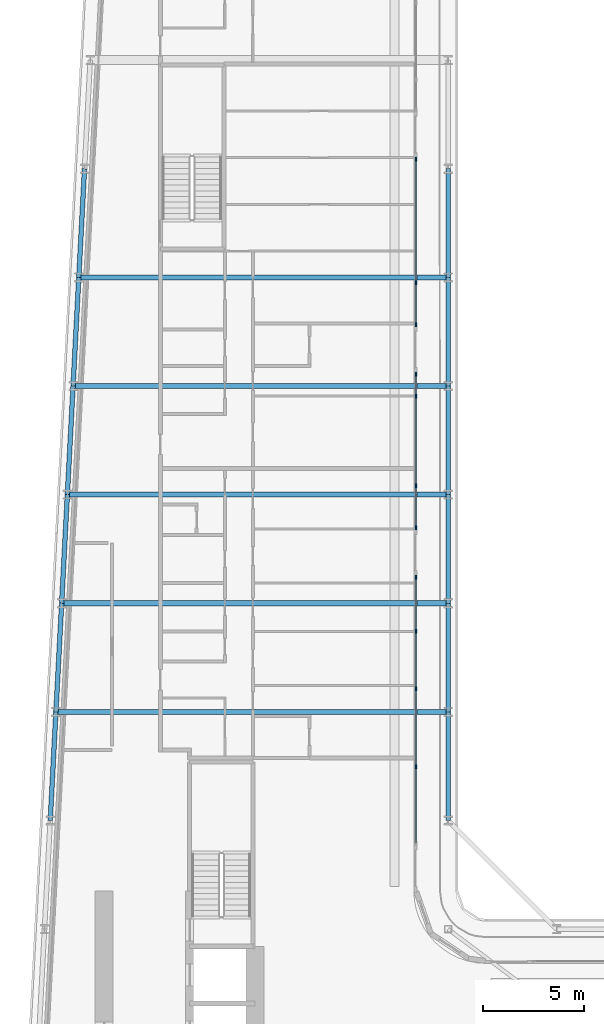
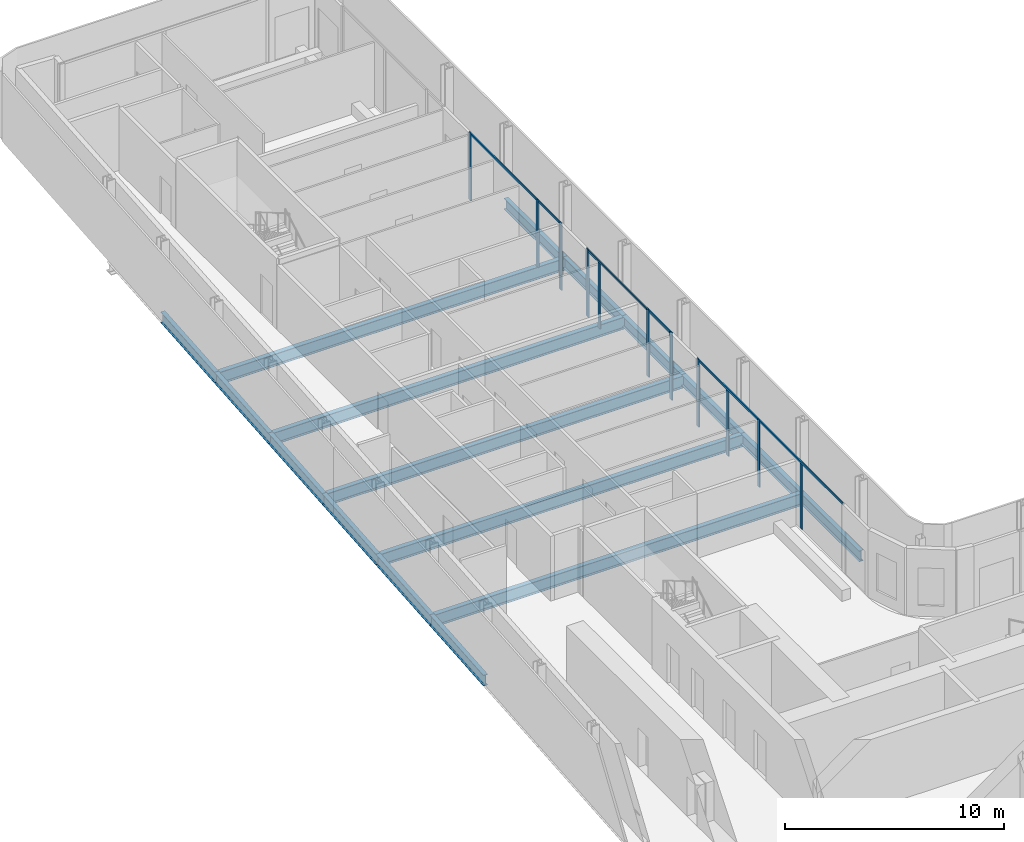
# One storey, part 7 of 29: 17 beams, 17 members, 6 elements without a shape of their own.
"""IFC4 building model written with IfcOpenShell, lengths in metres."""

import ifcopenshell
import ifcopenshell.guid

model = None  # the IFC model being written
_history = None  # IfcOwnerHistory: only IFC2X3 demands one
_inside = {}  # id of a spatial element -> (the spatial element, [elements in it])
_under = {}  # id of a project, library or spatial element -> (it, [spatial elements below it])
_declared = {}  # id of a project -> (the project, [libraries it declares])
_typed = {}  # id of a type object -> (the type object, [elements of that type])
_made_of = {}  # id of a material, layer set ... -> (it, [elements and type objects made of it])


def new_model(schema):
    """Start an empty IFC model of exactly this schema.

    Asked for "IFC4X3", IfcOpenShell would pick the latest addendum, in which some entities
    have other attributes; the version numbers below select the first issue.
    IFC2X3 requires an IfcOwnerHistory on every rooted entity: one is made here for all.
    """
    global model, _history
    if schema == "IFC4X3":
        model = ifcopenshell.file(schema_version=(4, 3, 0, 0))
    else:
        model = ifcopenshell.file(schema=schema)
    _inside.clear()
    _under.clear()
    _declared.clear()
    _typed.clear()
    _made_of.clear()
    _history = None
    if model.schema == "IFC2X3":
        org = make("IfcOrganization", Name="unknown")
        user = make(
            "IfcPersonAndOrganization",
            ThePerson=make("IfcPerson", FamilyName="unknown"),
            TheOrganization=org,
        )
        app = make(
            "IfcApplication",
            ApplicationDeveloper=org,
            Version="unknown",
            ApplicationFullName="unknown",
            ApplicationIdentifier="unknown",
        )
        _history = make(
            "IfcOwnerHistory",
            OwningUser=user,
            OwningApplication=app,
            ChangeAction="ADDED",
            CreationDate=0,
        )
    return model


def make(cls, **values):
    """One entity of the class cls with the attributes given. An attribute that is None is left unset."""
    return model.create_entity(
        cls, **{name: value for name, value in values.items() if value is not None}
    )


def rooted(cls, **values):
    """An entity with a GlobalId (a new one), such as an element, a storey or a relation."""
    return make(cls, GlobalId=ifcopenshell.guid.new(), OwnerHistory=_history, **values)


def si_unit(unit_type, name, prefix=None):
    """IfcSIUnit, for example si_unit("LENGTHUNIT", "METRE", prefix="MILLI")."""
    return make("IfcSIUnit", UnitType=unit_type, Prefix=prefix, Name=name)


def assignment(units):
    """IfcUnitAssignment: the units of a project."""
    return None if units is None else make("IfcUnitAssignment", Units=units)


def point(xyz):
    """IfcCartesianPoint."""
    return None if xyz is None else make("IfcCartesianPoint", Coordinates=xyz)


def direction(xyz):
    """IfcDirection."""
    return None if xyz is None else make("IfcDirection", DirectionRatios=xyz)


def frame(location, z_axis=None, x_axis=None):
    """IfcAxis2Placement3D, a coordinate frame: its origin and axes. An axis left out is left unset."""
    return make(
        "IfcAxis2Placement3D",
        Location=point(location),
        Axis=direction(z_axis),
        RefDirection=direction(x_axis),
    )


def frame_2d(location, x_axis=None):
    """IfcAxis2Placement2D, a coordinate frame in the plane: its origin and x axis."""
    return make(
        "IfcAxis2Placement2D", Location=point(location), RefDirection=direction(x_axis)
    )


def origin():
    """The frame at (0, 0, 0) with its axes left unset."""
    return frame((0.0, 0.0, 0.0))


def origin_2d():
    """The frame at (0, 0) in the plane with its x axis left unset."""
    return frame_2d((0.0, 0.0))


def place(relative_to, where):
    """IfcLocalPlacement: puts the frame where relative to a parent placement (None: the world)."""
    return make(
        "IfcLocalPlacement", PlacementRelTo=relative_to, RelativePlacement=where
    )


def context(
    kind, dimensions, precision=None, world=None, true_north=None, identifier=None
):
    """IfcGeometricRepresentationContext, for example the 3D "Model" context."""
    return make(
        "IfcGeometricRepresentationContext",
        ContextIdentifier=identifier,
        ContextType=kind,
        CoordinateSpaceDimension=dimensions,
        Precision=precision,
        WorldCoordinateSystem=world,
        TrueNorth=true_north,
    )


def subcontext(parent, identifier, kind, view, scale=None):
    """IfcGeometricRepresentationSubContext, for example "Body" below "Model"."""
    return make(
        "IfcGeometricRepresentationSubContext",
        ContextIdentifier=identifier,
        ContextType=kind,
        ParentContext=parent,
        TargetScale=scale,
        TargetView=view,
    )


def project(units=None, contexts=None):
    """IfcProject with its units and contexts."""
    return rooted(
        "IfcProject",
        Name="project",
        RepresentationContexts=contexts,
        UnitsInContext=assignment(units),
    )


def spatial(cls, under=None, at=None, **own):
    """A site, building, storey or space (cls), placed at a placement, below another one or the project."""
    s = rooted(cls, ObjectPlacement=at, **own)
    if under is not None:
        _under.setdefault(under.id(), (under, []))[1].append(s)
    return s


def profile(cls, at=None, kind="AREA", **sizes):
    """A parametric profile (cls). Its sizes go by their IFC names, for example OverallWidth=200.0."""
    return make(cls, ProfileType=kind, Position=at, **sizes)


def rectangle(**sizes):
    """IfcRectangleProfileDef."""
    return profile("IfcRectangleProfileDef", **sizes)


def i_section(**sizes):
    """IfcIShapeProfileDef."""
    return profile("IfcIShapeProfileDef", **sizes)


def extrude(swept, where, along, depth):
    """IfcExtrudedAreaSolid: the profile swept, set in the frame where, extruded along a direction by depth."""
    return make(
        "IfcExtrudedAreaSolid",
        SweptArea=swept,
        Position=where,
        ExtrudedDirection=direction(along),
        Depth=depth,
    )


def shape(context_of_items, identifier, shape_type, items):
    """IfcShapeRepresentation: the items that make up one representation, for example the "Body"."""
    return make(
        "IfcShapeRepresentation",
        ContextOfItems=context_of_items,
        RepresentationIdentifier=identifier,
        RepresentationType=shape_type,
        Items=items,
    )


def material(Name=None, Category=None):
    """IfcMaterial."""
    return make("IfcMaterial", Name=Name, Category=Category)


def layer(
    of_material, thickness, ventilated=None, Name=None, Category=None, Priority=None
):
    """IfcMaterialLayer: one layer of a wall or slab, of a material (None: an air gap)."""
    return make(
        "IfcMaterialLayer",
        Material=of_material,
        LayerThickness=thickness,
        IsVentilated=ventilated,
        Name=Name,
        Category=Category,
        Priority=Priority,
    )


def layer_set(layers, Name=None):
    """IfcMaterialLayerSet."""
    return make("IfcMaterialLayerSet", MaterialLayers=layers, LayerSetName=Name)


def material_profile(
    of_material, cross_section, Name=None, Category=None, Priority=None
):
    """IfcMaterialProfile: a cross section and its material."""
    return make(
        "IfcMaterialProfile",
        Name=Name,
        Material=of_material,
        Profile=cross_section,
        Priority=Priority,
        Category=Category,
    )


def profile_set(profiles, Name=None, composite=None):
    """IfcMaterialProfileSet."""
    return make(
        "IfcMaterialProfileSet",
        Name=Name,
        MaterialProfiles=profiles,
        CompositeProfile=composite,
    )


def made_of(thing, what):
    """Note that an element or type object is made of a material, layer set ...; save() writes the relation."""
    if what is not None:
        _made_of.setdefault(what.id(), (what, []))[1].append(thing)
    return thing


def type_object(cls, material=None, **own):
    """A type object (cls), such as IfcWallType, which elements share."""
    return made_of(rooted(cls, **own), material)


def element(
    cls,
    number,
    at=None,
    inside=None,
    cuts=None,
    type_object=None,
    material=None,
    context=None,
    identifier="Body",
    shape_type=None,
    held_by="IfcProductDefinitionShape",
    body=None,
    shapes=None,
    **own,
):
    """One element of the class cls, such as IfcWall. Its Tag is "e" and its number.

    at: its placement. inside: the storey or other place that contains it. cuts: it is an
    opening in that element (IfcRelVoidsElement). A single representation is given by context,
    identifier, shape_type and body (its items); several are given by shapes. held_by: the class
    of the entity that holds the representations. save() writes the other relations.
    """
    e = rooted(cls, Tag="e%d" % number, ObjectPlacement=at, **own)
    if body is not None:
        shapes = [shape(context, identifier, shape_type, body)]
    if shapes is not None:
        e.Representation = make(held_by, Representations=shapes)
    if inside is not None:
        _inside.setdefault(inside.id(), (inside, []))[1].append(e)
    if cuts is not None:
        rooted(
            "IfcRelVoidsElement", RelatingBuildingElement=cuts, RelatedOpeningElement=e
        )
    if type_object is not None:
        _typed.setdefault(type_object.id(), (type_object, []))[1].append(e)
    return made_of(e, material)


def aggregate(whole, parts):
    """IfcRelAggregates: a whole, such as a stair, and the parts it consists of."""
    return rooted("IfcRelAggregates", RelatingObject=whole, RelatedObjects=parts)


def save(model, path):
    """Write the relations noted so far, then the file.

    IfcRelAggregates (storeys below a building ...), IfcRelContainedInSpatialStructure (elements
    in a storey), IfcRelDefinesByType, IfcRelAssociatesMaterial and IfcRelDeclares: one each for
    every whole, place, type object, material and project.
    """
    for whole, parts in _under.values():
        aggregate(whole, parts)
    for where, things in _inside.values():
        rooted(
            "IfcRelContainedInSpatialStructure",
            RelatedElements=things,
            RelatingStructure=where,
        )
    for kind, things in _typed.values():
        rooted("IfcRelDefinesByType", RelatedObjects=things, RelatingType=kind)
    for what, things in _made_of.values():
        rooted("IfcRelAssociatesMaterial", RelatedObjects=things, RelatingMaterial=what)
    for by, libraries in _declared.values():
        rooted("IfcRelDeclares", RelatingContext=by, RelatedDefinitions=libraries)
    model.write(path)


model = new_model("IFC4")

# Units and contexts
model_context = context("Model", 3, precision=1e-05, world=origin(), true_north=direction((0.0, 1.0)))
body_context = subcontext(model_context, "Body", "Model", "MODEL_VIEW")
ifc_project = project(units=[si_unit("LENGTHUNIT", "METRE"), si_unit("AREAUNIT", "SQUARE_METRE"), si_unit("VOLUMEUNIT", "CUBIC_METRE"), si_unit("PLANEANGLEUNIT", "RADIAN"), si_unit("MASSUNIT", "GRAM", prefix="KILO")], contexts=[model_context])

# Site, building, storey
site_placement = place(None, origin())
site = spatial("IfcSite", under=ifc_project, at=site_placement, CompositionType="ELEMENT")
building_placement = place(site_placement, origin())
building = spatial("IfcBuilding", under=site, at=building_placement, Name="Kheshtan School and Residences Tower", CompositionType="ELEMENT")
storey_placement = place(building_placement, frame((0.0, 0.0, 121.39990234375)))
storey = spatial("IfcBuildingStorey", under=building, at=storey_placement, Name="L28", CompositionType="ELEMENT", Elevation=121.39990234375)

# Beams
ifc_material_1 = material(Name="Steel ASTM A992 Grade 50", Category="steel")
ifc_material_profile_1 = material_profile(ifc_material_1, i_section(OverallWidth=0.2529296875, OverallDepth=0.677978515625, WebThickness=0.01171875, FlangeThickness=0.016357421875, FilletRadius=0.0146484375, at=origin_2d()), Name="W690x125")
ifc_profile_set_1 = profile_set([ifc_material_profile_1], Name="Steel ASTM A992 Grade 50")
beam_type_1 = type_object("IfcBeamType", Name="Beam FB6 W690x125 ASTM A992 Grade 50", PredefinedType="BEAM", material=ifc_profile_set_1)
beam_1_placement = place(storey_placement, frame((47.60009765625, 78.0, -0.489013671875), z_axis=(-1.0, 0.0, 0.0), x_axis=(0.0, -1.0, 0.0)))
element("IfcBeam", 1, at=beam_1_placement, inside=storey, type_object=beam_type_1, Name="Floor beam C089", PredefinedType="BEAM", context=body_context, shape_type="SweptSolid", body=[
    extrude(i_section(OverallWidth=0.2529296875, OverallDepth=0.677978515625, WebThickness=0.01171875, FlangeThickness=0.016357421875, FilletRadius=0.0146484375, at=origin_2d()), origin(), (0.0, 0.0, 1.0), 18.357177734375),
])
beam_2_placement = place(storey_placement, frame((47.60009765625, 67.199951171875, -0.489013671875), z_axis=(-1.0, 0.0, 0.0), x_axis=(0.0, -1.0, 0.0)))
element("IfcBeam", 2, at=beam_2_placement, inside=storey, type_object=beam_type_1, Name="Floor beam C085", PredefinedType="BEAM", context=body_context, shape_type="SweptSolid", body=[
    extrude(i_section(OverallWidth=0.2529296875, OverallDepth=0.677978515625, WebThickness=0.01171875, FlangeThickness=0.016357421875, FilletRadius=0.0146484375, at=origin_2d()), origin(), (0.0, 0.0, 1.0), 18.926025390625),
])
beam_3_placement = place(storey_placement, frame((47.60009765625, 56.39990234375, -0.489013671875), z_axis=(-1.0, 0.0, 0.0), x_axis=(0.0, -1.0, 0.0)))
element("IfcBeam", 3, at=beam_3_placement, inside=storey, type_object=beam_type_1, Name="Floor beam C081", PredefinedType="BEAM", context=body_context, shape_type="SweptSolid", body=[
    extrude(i_section(OverallWidth=0.2529296875, OverallDepth=0.677978515625, WebThickness=0.01171875, FlangeThickness=0.016357421875, FilletRadius=0.0146484375, at=origin_2d()), origin(), (0.0, 0.0, 1.0), 19.494140625),
])
beam_4_placement = place(storey_placement, frame((28.389892578125, 61.800048828125, -0.489013671875), z_axis=(1.0, 0.0, 0.0), x_axis=(0.0, 1.0, 0.0)))
element("IfcBeam", 4, at=beam_4_placement, inside=storey, type_object=beam_type_1, Name="Floor beam C082", PredefinedType="BEAM", context=body_context, shape_type="SweptSolid", body=[
    extrude(i_section(OverallWidth=0.2529296875, OverallDepth=0.677978515625, WebThickness=0.01171875, FlangeThickness=0.016357421875, FilletRadius=0.0146484375, at=origin_2d()), origin(), (0.0, 0.0, 1.0), 19.210205078125),
])
beam_5_placement = place(storey_placement, frame((28.9580078125, 72.60009765625, -0.489013671875), z_axis=(1.0, 0.0, 0.0), x_axis=(0.0, 1.0, 0.0)))
element("IfcBeam", 5, at=beam_5_placement, inside=storey, type_object=beam_type_1, Name="Floor beam C086", PredefinedType="BEAM", context=body_context, shape_type="SweptSolid", body=[
    extrude(i_section(OverallWidth=0.2529296875, OverallDepth=0.677978515625, WebThickness=0.01171875, FlangeThickness=0.016357421875, FilletRadius=0.0146484375, at=origin_2d()), origin(), (0.0, 0.0, 1.0), 18.64208984375),
])
ifc_material_profile_2 = material_profile(ifc_material_1, i_section(OverallWidth=0.22802734375, OverallDepth=0.60302734375, WebThickness=0.010498046875, FlangeThickness=0.014892578125, FilletRadius=0.013427734375, at=origin_2d()), Name="W610x101")
ifc_profile_set_2 = profile_set([ifc_material_profile_2], Name="Steel ASTM A992 Grade 50")
beam_type_2 = type_object("IfcBeamType", Name="Beam SP2 W610x101 ASTM A992 Grade 50", PredefinedType="BEAM", material=ifc_profile_set_2)
for number, where, z_axis, x_axis, name in (
    (6, (47.60009765625, 83.39990234375, -0.451416015625), (0.0, -1.0, 0.0), (1.0, 0.0, 0.0), "Spandrel beam C091-C089"),
    (7, (47.60009765625, 78.0, -0.451416015625), (0.0, -1.0, 0.0), (1.0, 0.0, 0.0), "Spandrel beam C089-C087"),
):
    element("IfcBeam", number, at=place(storey_placement, frame(where, z_axis=z_axis, x_axis=x_axis)), inside=storey, type_object=beam_type_2, Name=name, PredefinedType="BEAM", context=body_context, shape_type="SweptSolid", body=[
        extrude(i_section(OverallWidth=0.22802734375, OverallDepth=0.60302734375, WebThickness=0.010498046875, FlangeThickness=0.014892578125, FilletRadius=0.013427734375, at=origin_2d()), origin(), (0.0, 0.0, 1.0), 5.39990234375),
    ])
beam_6_placement = place(storey_placement, frame((47.60009765625, 72.60009765625, -0.451416015625), z_axis=(0.0, -1.0, 0.0), x_axis=(1.0, 0.0, 0.0)))
element("IfcBeam", 8, at=beam_6_placement, inside=storey, type_object=beam_type_2, Name="Spandrel beam C087-C085", PredefinedType="BEAM", context=body_context, shape_type="SweptSolid", body=[
    extrude(i_section(OverallWidth=0.22802734375, OverallDepth=0.60302734375, WebThickness=0.010498046875, FlangeThickness=0.014892578125, FilletRadius=0.013427734375, at=origin_2d()), origin(), (0.0, 0.0, 1.0), 5.400146484375),
])
beam_7_placement = place(storey_placement, frame((47.60009765625, 67.199951171875, -0.451416015625), z_axis=(0.0, -1.0, 0.0), x_axis=(1.0, 0.0, 0.0)))
element("IfcBeam", 9, at=beam_7_placement, inside=storey, type_object=beam_type_2, Name="Spandrel beam C085-C083", PredefinedType="BEAM", context=body_context, shape_type="SweptSolid", body=[
    extrude(i_section(OverallWidth=0.22802734375, OverallDepth=0.60302734375, WebThickness=0.010498046875, FlangeThickness=0.014892578125, FilletRadius=0.013427734375, at=origin_2d()), origin(), (0.0, 0.0, 1.0), 5.39990234375),
])
beam_8_placement = place(storey_placement, frame((47.60009765625, 61.800048828125, -0.451416015625), z_axis=(0.0, -1.0, 0.0), x_axis=(1.0, 0.0, 0.0)))
element("IfcBeam", 10, at=beam_8_placement, inside=storey, type_object=beam_type_2, Name="Spandrel beam C083-C081", PredefinedType="BEAM", context=body_context, shape_type="SweptSolid", body=[
    extrude(i_section(OverallWidth=0.22802734375, OverallDepth=0.60302734375, WebThickness=0.010498046875, FlangeThickness=0.014892578125, FilletRadius=0.013427734375, at=origin_2d()), origin(), (0.0, 0.0, 1.0), 5.400146484375),
])
beam_9_placement = place(storey_placement, frame((47.60009765625, 56.39990234375, -0.451416015625), z_axis=(0.0, -1.0, 0.0), x_axis=(1.0, 0.0, 0.0)))
element("IfcBeam", 11, at=beam_9_placement, inside=storey, type_object=beam_type_2, Name="Spandrel beam C081-C079", PredefinedType="BEAM", context=body_context, shape_type="SweptSolid", body=[
    extrude(i_section(OverallWidth=0.22802734375, OverallDepth=0.60302734375, WebThickness=0.010498046875, FlangeThickness=0.014892578125, FilletRadius=0.013427734375, at=origin_2d()), origin(), (0.0, 0.0, 1.0), 5.39990234375),
])
beam_10_placement = place(storey_placement, frame((27.822021484375, 51.0, -0.451416015625), z_axis=(0.05250906864, 0.998620447272, 0.0), x_axis=(-0.998620447272, 0.05250906864, 0.0)))
element("IfcBeam", 12, at=beam_10_placement, inside=storey, type_object=beam_type_2, Name="Spandrel beam C078-C080", PredefinedType="BEAM", context=body_context, shape_type="SweptSolid", body=[
    extrude(i_section(OverallWidth=0.22802734375, OverallDepth=0.60302734375, WebThickness=0.010498046875, FlangeThickness=0.014892578125, FilletRadius=0.013427734375, at=origin_2d()), origin(), (0.0, 0.0, 1.0), 5.407470703125),
])
beam_11_placement = place(storey_placement, frame((28.10595703125, 56.39990234375, -0.451416015625), z_axis=(0.05250670125, 0.998620571751, 0.0), x_axis=(-0.998620571751, 0.05250670125, 0.0)))
element("IfcBeam", 13, at=beam_11_placement, inside=storey, type_object=beam_type_2, Name="Spandrel beam C080-C082", PredefinedType="BEAM", context=body_context, shape_type="SweptSolid", body=[
    extrude(i_section(OverallWidth=0.22802734375, OverallDepth=0.60302734375, WebThickness=0.010498046875, FlangeThickness=0.014892578125, FilletRadius=0.013427734375, at=origin_2d()), origin(), (0.0, 0.0, 1.0), 5.40771484375),
])
beam_12_placement = place(storey_placement, frame((28.389892578125, 61.800048828125, -0.451416015625), z_axis=(0.052554093665, 0.998618078766, 0.0), x_axis=(-0.998618078766, 0.052554093665, 0.0)))
element("IfcBeam", 14, at=beam_12_placement, inside=storey, type_object=beam_type_2, Name="Spandrel beam C082-C084", PredefinedType="BEAM", context=body_context, shape_type="SweptSolid", body=[
    extrude(i_section(OverallWidth=0.22802734375, OverallDepth=0.60302734375, WebThickness=0.010498046875, FlangeThickness=0.014892578125, FilletRadius=0.013427734375, at=origin_2d()), origin(), (0.0, 0.0, 1.0), 5.407470703125),
])
beam_13_placement = place(storey_placement, frame((28.674072265625, 67.199951171875, -0.451416015625), z_axis=(0.05250670125, 0.998620571751, 0.0), x_axis=(-0.998620571751, 0.05250670125, 0.0)))
element("IfcBeam", 15, at=beam_13_placement, inside=storey, type_object=beam_type_2, Name="Spandrel beam C084-C086", PredefinedType="BEAM", context=body_context, shape_type="SweptSolid", body=[
    extrude(i_section(OverallWidth=0.22802734375, OverallDepth=0.60302734375, WebThickness=0.010498046875, FlangeThickness=0.014892578125, FilletRadius=0.013427734375, at=origin_2d()), origin(), (0.0, 0.0, 1.0), 5.40771484375),
])
for number, where, z_axis, x_axis, name in (
    (16, (28.9580078125, 72.60009765625, -0.451416015625), (0.052689166816, 0.998610961136, 0.0), (-0.998610961136, 0.052689166816, 0.0), "Spandrel beam C086-C088"),
    (17, (29.242919921875, 78.0, -0.451416015625), (0.052554093665, 0.998618078766, 0.0), (-0.998618078766, 0.052554093665, 0.0), "Spandrel beam C088-C090"),
):
    element("IfcBeam", number, at=place(storey_placement, frame(where, z_axis=z_axis, x_axis=x_axis)), inside=storey, type_object=beam_type_2, Name=name, PredefinedType="BEAM", context=body_context, shape_type="SweptSolid", body=[
        extrude(i_section(OverallWidth=0.22802734375, OverallDepth=0.60302734375, WebThickness=0.010498046875, FlangeThickness=0.014892578125, FilletRadius=0.013427734375, at=origin_2d()), origin(), (0.0, 0.0, 1.0), 5.407470703125),
    ])

# Curtain wall, members
ifc_material_2 = material(Name="Clear low-e glass in thermally broken aluminium frame", Category="aluminium")
ifc_layer = layer(ifc_material_2, 0.199951171875)
ifc_layer_set = layer_set([ifc_layer], Name="Curtain wall CW-L")
curtain_wall_type = type_object("IfcCurtainWallType", Name="Curtain wall CW-L", PredefinedType="NOTDEFINED", material=ifc_layer_set)
curtain_wall_1_placement = place(storey_placement, origin())
curtain_wall_1 = element("IfcCurtainWall", 18, at=curtain_wall_1_placement, inside=storey, type_object=curtain_wall_type, Name="Curtain wall CWL8d", PredefinedType="NOTDEFINED")
ifc_material_3 = material(Name="Thermally broken aluminium, dark bronze anodised", Category="aluminium")
ifc_material_profile_3 = material_profile(ifc_material_3, rectangle(XDim=0.06005859375, YDim=0.199951171875, at=origin_2d()), Name="CW-L mullion 60x200")
ifc_profile_set_3 = profile_set([ifc_material_profile_3], Name="Thermally broken aluminium, dark bronze anodised")
member_type_1 = type_object("IfcMemberType", Name="CW-L mullion 60x200", PredefinedType="MULLION", material=ifc_profile_set_3)
member_1_placement = place(storey_placement, frame((46.0, 83.8759765625, 0.0), z_axis=(0.0, 0.0, 1.0), x_axis=(1.0, 0.0, 0.0)))
member_1 = element("IfcMember", 19, at=member_1_placement, type_object=member_type_1, Name="CWL8d mullion 1", PredefinedType="MULLION", context=body_context, shape_type="SweptSolid", body=[
    extrude(rectangle(XDim=0.06005859375, YDim=0.199951171875, at=origin_2d()), origin(), (0.0, 0.0, 1.0), 3.75),
])
member_2_placement = place(storey_placement, frame((46.0, 77.741943359375, 0.0), z_axis=(0.0, 0.0, 1.0), x_axis=(1.0, 0.0, 0.0)))
member_2 = element("IfcMember", 20, at=member_2_placement, type_object=member_type_1, Name="CWL8d mullion 2", PredefinedType="MULLION", context=body_context, shape_type="SweptSolid", body=[
    extrude(rectangle(XDim=0.06005859375, YDim=0.199951171875, at=origin_2d()), origin(), (0.0, 0.0, 1.0), 3.75),
])

# Curtain wall, member
curtain_wall_2_placement = place(storey_placement, origin())
curtain_wall_2 = element("IfcCurtainWall", 21, at=curtain_wall_2_placement, inside=storey, type_object=curtain_wall_type, Name="Curtain wall CWL8i", PredefinedType="NOTDEFINED")
member_3_placement = place(storey_placement, frame((46.0, 75.64208984375, 0.0), z_axis=(0.0, 0.0, 1.0), x_axis=(1.0, 0.0, 0.0)))
member_3 = element("IfcMember", 22, at=member_3_placement, type_object=member_type_1, Name="CWL8i mullion 2", PredefinedType="MULLION", context=body_context, shape_type="SweptSolid", body=[
    extrude(rectangle(XDim=0.06005859375, YDim=0.199951171875, at=origin_2d()), origin(), (0.0, 0.0, 1.0), 3.75),
])

# Curtain wall, members
curtain_wall_3_placement = place(storey_placement, origin())
curtain_wall_3 = element("IfcCurtainWall", 23, at=curtain_wall_3_placement, inside=storey, type_object=curtain_wall_type, Name="Curtain wall CWL8l", PredefinedType="NOTDEFINED")
member_4_placement = place(storey_placement, frame((46.0, 73.181884765625, 0.0), z_axis=(0.0, 0.0, 1.0), x_axis=(1.0, 0.0, 0.0)))
member_4 = element("IfcMember", 24, at=member_4_placement, type_object=member_type_1, Name="CWL8l mullion 1", PredefinedType="MULLION", context=body_context, shape_type="SweptSolid", body=[
    extrude(rectangle(XDim=0.06005859375, YDim=0.199951171875, at=origin_2d()), origin(), (0.0, 0.0, 1.0), 3.75),
])
member_5_placement = place(storey_placement, frame((46.0, 72.10009765625, 0.0), z_axis=(0.0, 0.0, 1.0), x_axis=(1.0, 0.0, 0.0)))
member_5 = element("IfcMember", 25, at=member_5_placement, type_object=member_type_1, Name="CWL8l mullion 2", PredefinedType="MULLION", context=body_context, shape_type="SweptSolid", body=[
    extrude(rectangle(XDim=0.06005859375, YDim=0.199951171875, at=origin_2d()), origin(), (0.0, 0.0, 1.0), 3.630126953125),
])
member_6_placement = place(storey_placement, frame((46.0, 67.64794921875, 0.0), z_axis=(0.0, 0.0, 1.0), x_axis=(1.0, 0.0, 0.0)))
member_6 = element("IfcMember", 26, at=member_6_placement, type_object=member_type_1, Name="CWL8l mullion 3", PredefinedType="MULLION", context=body_context, shape_type="SweptSolid", body=[
    extrude(rectangle(XDim=0.06005859375, YDim=0.199951171875, at=origin_2d()), origin(), (0.0, 0.0, 1.0), 3.75),
])

# Curtain wall, member
curtain_wall_4_placement = place(storey_placement, origin())
curtain_wall_4 = element("IfcCurtainWall", 27, at=curtain_wall_4_placement, inside=storey, type_object=curtain_wall_type, Name="Curtain wall CWL8i", PredefinedType="NOTDEFINED")
member_7_placement = place(storey_placement, frame((46.0, 65.548095703125, 0.0), z_axis=(0.0, 0.0, 1.0), x_axis=(1.0, 0.0, 0.0)))
member_7 = element("IfcMember", 28, at=member_7_placement, type_object=member_type_1, Name="CWL8i mullion 2", PredefinedType="MULLION", context=body_context, shape_type="SweptSolid", body=[
    extrude(rectangle(XDim=0.06005859375, YDim=0.199951171875, at=origin_2d()), origin(), (0.0, 0.0, 1.0), 3.75),
])

# Curtain wall, members
curtain_wall_5_placement = place(storey_placement, origin())
curtain_wall_5 = element("IfcCurtainWall", 29, at=curtain_wall_5_placement, inside=storey, type_object=curtain_wall_type, Name="Curtain wall CWL8l", PredefinedType="NOTDEFINED")
member_8_placement = place(storey_placement, frame((46.0, 63.087890625, 0.0), z_axis=(0.0, 0.0, 1.0), x_axis=(1.0, 0.0, 0.0)))
member_8 = element("IfcMember", 30, at=member_8_placement, type_object=member_type_1, Name="CWL8l mullion 1", PredefinedType="MULLION", context=body_context, shape_type="SweptSolid", body=[
    extrude(rectangle(XDim=0.06005859375, YDim=0.199951171875, at=origin_2d()), origin(), (0.0, 0.0, 1.0), 3.75),
])
member_9_placement = place(storey_placement, frame((46.0, 60.39990234375, 0.0), z_axis=(0.0, 0.0, 1.0), x_axis=(1.0, 0.0, 0.0)))
member_9 = element("IfcMember", 31, at=member_9_placement, type_object=member_type_1, Name="CWL8l mullion 2", PredefinedType="MULLION", context=body_context, shape_type="SweptSolid", body=[
    extrude(rectangle(XDim=0.06005859375, YDim=0.199951171875, at=origin_2d()), origin(), (0.0, 0.0, 1.0), 3.630126953125),
])
member_10_placement = place(storey_placement, frame((46.0, 57.553955078125, 0.0), z_axis=(0.0, 0.0, 1.0), x_axis=(1.0, 0.0, 0.0)))
member_10 = element("IfcMember", 32, at=member_10_placement, type_object=member_type_1, Name="CWL8l mullion 3", PredefinedType="MULLION", context=body_context, shape_type="SweptSolid", body=[
    extrude(rectangle(XDim=0.06005859375, YDim=0.199951171875, at=origin_2d()), origin(), (0.0, 0.0, 1.0), 3.75),
])

# Curtain wall, member
curtain_wall_6_placement = place(storey_placement, origin())
curtain_wall_6 = element("IfcCurtainWall", 33, at=curtain_wall_6_placement, inside=storey, type_object=curtain_wall_type, Name="Curtain wall CWL8", PredefinedType="NOTDEFINED")
member_11_placement = place(storey_placement, frame((46.0, 53.677001953125, 0.0), z_axis=(0.0, 0.0, 1.0), x_axis=(1.0, 0.0, 0.0)))
member_11 = element("IfcMember", 34, at=member_11_placement, type_object=member_type_1, Name="CWL8 mullion 2", PredefinedType="MULLION", context=body_context, shape_type="SweptSolid", body=[
    extrude(rectangle(XDim=0.06005859375, YDim=0.199951171875, at=origin_2d()), origin(), (0.0, 0.0, 1.0), 3.630126953125),
])

# Member
ifc_material_profile_4 = material_profile(ifc_material_3, rectangle(XDim=0.06005859375, YDim=0.1201171875, at=origin_2d()), Name="CW-L transom 60x120")
ifc_profile_set_4 = profile_set([ifc_material_profile_4], Name="Thermally broken aluminium, dark bronze anodised")
member_type_2 = type_object("IfcMemberType", Name="CW-L transom 60x120", PredefinedType="USERDEFINED", material=ifc_profile_set_4)
member_12_placement = place(storey_placement, frame((46.0, 83.845947265625, 3.690185546875), z_axis=(0.0, -1.0, 0.0), x_axis=(1.0, 0.0, 0.0)))
member_12 = element("IfcMember", 35, at=member_12_placement, type_object=member_type_2, Name="CWL8d transom 1", ObjectType="TRANSOM", PredefinedType="USERDEFINED", context=body_context, shape_type="SweptSolid", body=[
    extrude(rectangle(XDim=0.06005859375, YDim=0.1201171875, at=origin_2d()), origin(), (0.0, 0.0, 1.0), 6.073974609375),
])

aggregate(curtain_wall_1, [member_1, member_2, member_12])

member_13_placement = place(storey_placement, frame((46.0, 77.7119140625, 3.690185546875), z_axis=(0.0, -1.0, 0.0), x_axis=(1.0, 0.0, 0.0)))
member_13 = element("IfcMember", 36, at=member_13_placement, type_object=member_type_2, Name="CWL8i transom 1", ObjectType="TRANSOM", PredefinedType="USERDEFINED", context=body_context, shape_type="SweptSolid", body=[
    extrude(rectangle(XDim=0.06005859375, YDim=0.1201171875, at=origin_2d()), origin(), (0.0, 0.0, 1.0), 2.039794921875),
])

aggregate(curtain_wall_2, [member_3, member_13])

member_14_placement = place(storey_placement, frame((46.0, 73.152099609375, 3.690185546875), z_axis=(0.0, -1.0, 0.0), x_axis=(1.0, 0.0, 0.0)))
member_14 = element("IfcMember", 37, at=member_14_placement, type_object=member_type_2, Name="CWL8l transom 1", ObjectType="TRANSOM", PredefinedType="USERDEFINED", context=body_context, shape_type="SweptSolid", body=[
    extrude(rectangle(XDim=0.06005859375, YDim=0.1201171875, at=origin_2d()), origin(), (0.0, 0.0, 1.0), 5.47412109375),
])

aggregate(curtain_wall_3, [member_4, member_5, member_6, member_14])

member_15_placement = place(storey_placement, frame((46.0, 67.617919921875, 3.690185546875), z_axis=(0.0, -1.0, 0.0), x_axis=(1.0, 0.0, 0.0)))
member_15 = element("IfcMember", 38, at=member_15_placement, type_object=member_type_2, Name="CWL8i transom 1", ObjectType="TRANSOM", PredefinedType="USERDEFINED", context=body_context, shape_type="SweptSolid", body=[
    extrude(rectangle(XDim=0.06005859375, YDim=0.1201171875, at=origin_2d()), origin(), (0.0, 0.0, 1.0), 2.0400390625),
])

aggregate(curtain_wall_4, [member_7, member_15])

member_16_placement = place(storey_placement, frame((46.0, 63.05810546875, 3.690185546875), z_axis=(0.0, -1.0, 0.0), x_axis=(1.0, 0.0, 0.0)))
member_16 = element("IfcMember", 39, at=member_16_placement, type_object=member_type_2, Name="CWL8l transom 1", ObjectType="TRANSOM", PredefinedType="USERDEFINED", context=body_context, shape_type="SweptSolid", body=[
    extrude(rectangle(XDim=0.06005859375, YDim=0.1201171875, at=origin_2d()), origin(), (0.0, 0.0, 1.0), 5.47412109375),
])

aggregate(curtain_wall_5, [member_8, member_9, member_10, member_16])

member_17_placement = place(storey_placement, frame((46.0, 57.52392578125, 3.690185546875), z_axis=(0.0, -1.0, 0.0), x_axis=(1.0, 0.0, 0.0)))
member_17 = element("IfcMember", 40, at=member_17_placement, type_object=member_type_2, Name="CWL8 transom 1", ObjectType="TRANSOM", PredefinedType="USERDEFINED", context=body_context, shape_type="SweptSolid", body=[
    extrude(rectangle(XDim=0.06005859375, YDim=0.1201171875, at=origin_2d()), origin(), (0.0, 0.0, 1.0), 7.634033203125),
])

aggregate(curtain_wall_6, [member_11, member_17])

save(model, "model.ifc")
